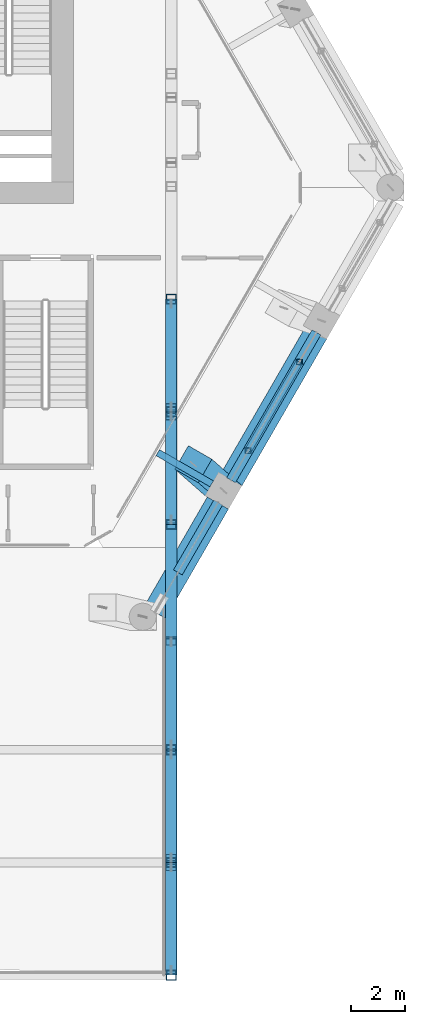
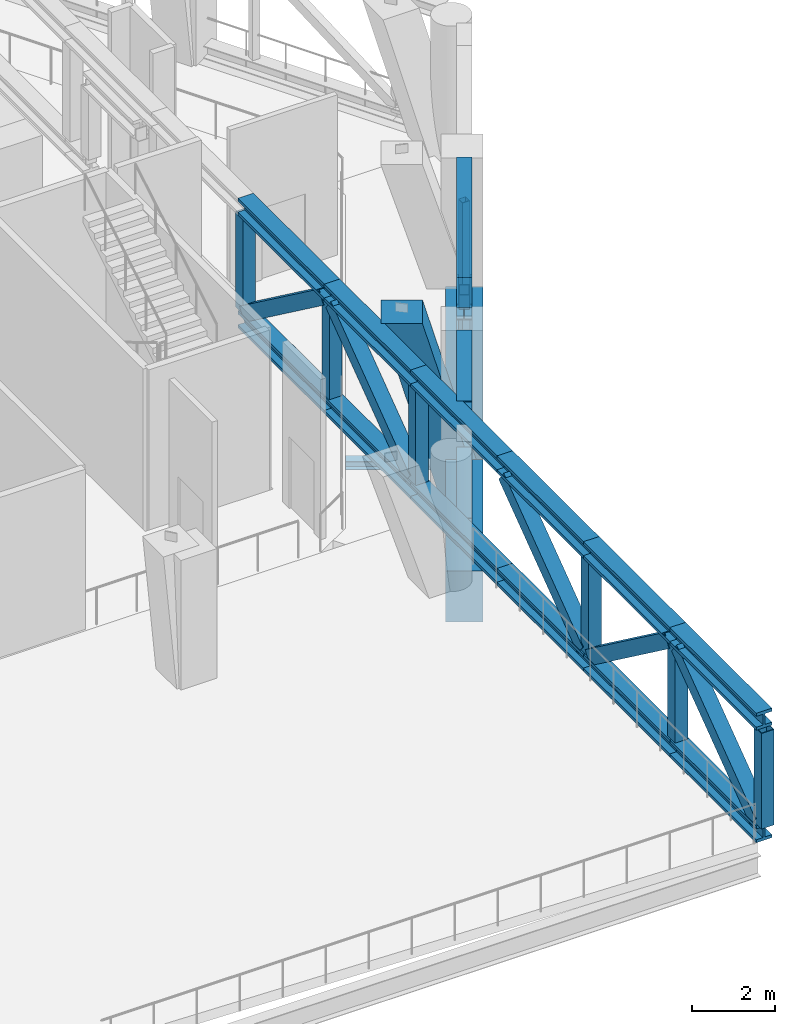
# One storey, part 4 of 22: 33 members, 3 beams.
"""IFC4 building model written with IfcOpenShell, lengths in metres."""

from ifc_helpers import new_model, si_unit, direction, frame, origin, origin_2d, place, context, subcontext, project, spatial, rectangle, hollow_rectangle, i_section, extrude, material, material_profile, profile_set, type_object, element, save


model = new_model("IFC4")

# Units and contexts
model_context = context("Model", 3, precision=1e-05, world=origin(), true_north=direction((0.0, 1.0)))
body_context = subcontext(model_context, "Body", "Model", "MODEL_VIEW")
ifc_project = project(units=[si_unit("LENGTHUNIT", "METRE"), si_unit("AREAUNIT", "SQUARE_METRE"), si_unit("VOLUMEUNIT", "CUBIC_METRE"), si_unit("PLANEANGLEUNIT", "RADIAN"), si_unit("MASSUNIT", "GRAM", prefix="KILO")], contexts=[model_context])

# Site, building, storey
site_placement = place(None, origin())
site = spatial("IfcSite", under=ifc_project, at=site_placement, CompositionType="ELEMENT")
building_placement = place(site_placement, origin())
building = spatial("IfcBuilding", under=site, at=building_placement, Name="Ostrander Bayou Hotel Tower", CompositionType="ELEMENT")
storey_placement = place(building_placement, frame((0.0, 0.0, 209.5)))
storey = spatial("IfcBuildingStorey", under=building, at=storey_placement, Name="L52", CompositionType="ELEMENT", Elevation=209.5)

# Members
ifc_material_1 = material(Name="Steel ASTM A992", Category="steel")
ifc_material_profile_1 = material_profile(ifc_material_1, i_section(OverallWidth=0.37255859375, OverallDepth=0.36767578125, WebThickness=0.014892578125, FlangeThickness=0.02392578125, at=origin_2d()))
ifc_profile_set_1 = profile_set([ifc_material_profile_1], Name="Steel ASTM A992")
member_type_1 = type_object("IfcMemberType", Name="BT5 belt truss chord W14x120", PredefinedType="CHORD", material=ifc_profile_set_1)
for number, where, z_axis, x_axis, name in (
    (1, (12.35595703125, -15.298583984375, 0.183837890625), (0.500003486784, 0.866023390679, 0.0), (-0.866023390679, 0.500003486784, 0.0), "BT5 L52 SE-1B2"),
    (2, (12.35595703125, -15.298583984375, 3.6162109375), (0.500003486784, 0.866023390679, 0.0), (-0.866023390679, 0.500003486784, 0.0), "BT5 L52 SE-1T2"),
):
    element("IfcMember", number, at=place(storey_placement, frame(where, z_axis=z_axis, x_axis=x_axis)), inside=storey, type_object=member_type_1, Name=name, PredefinedType="CHORD", context=body_context, shape_type="SweptSolid", body=[
        extrude(i_section(OverallWidth=0.37255859375, OverallDepth=0.36767578125, WebThickness=0.014892578125, FlangeThickness=0.02392578125, at=origin_2d()), origin(), (0.0, 0.0, 1.0), 2.98291015625),
    ])
member_1_placement = place(storey_placement, frame((14.3173828125, -11.9013671875, 0.183837890625), z_axis=(0.500017548753, 0.86601527177, 0.0), x_axis=(-0.86601527177, 0.500017548753, 0.0)))
element("IfcMember", 3, at=member_1_placement, inside=storey, type_object=member_type_1, Name="BT5 L52 SE-2B1", PredefinedType="CHORD", context=body_context, shape_type="SweptSolid", body=[
    extrude(i_section(OverallWidth=0.37255859375, OverallDepth=0.36767578125, WebThickness=0.014892578125, FlangeThickness=0.02392578125, at=origin_2d()), origin(), (0.0, 0.0, 1.0), 5.036865234375),
])
for number, where, z_axis, x_axis, name in (
    (4, (16.8359375, -7.539306640625, 0.183837890625), (0.499996560828, 0.866027389382, 0.0), (-0.866027389382, 0.499996560828, 0.0), "BT5 L52 SE-2B2"),
    (5, (14.3173828125, -11.9013671875, 3.6162109375), (0.499996560828, 0.866027389382, 0.0), (-0.866027389382, 0.499996560828, 0.0), "BT5 L52 SE-2T1"),
):
    element("IfcMember", number, at=place(storey_placement, frame(where, z_axis=z_axis, x_axis=x_axis)), inside=storey, type_object=member_type_1, Name=name, PredefinedType="CHORD", context=body_context, shape_type="SweptSolid", body=[
        extrude(i_section(OverallWidth=0.37255859375, OverallDepth=0.36767578125, WebThickness=0.014892578125, FlangeThickness=0.02392578125, at=origin_2d()), origin(), (0.0, 0.0, 1.0), 1.25927734375),
    ])
member_2_placement = place(storey_placement, frame((14.947021484375, -10.810791015625, 3.6162109375), z_axis=(0.500017548753, 0.86601527177, 0.0), x_axis=(-0.86601527177, 0.500017548753, 0.0)))
element("IfcMember", 6, at=member_2_placement, inside=storey, type_object=member_type_1, Name="BT5 L52 SE-2T2", PredefinedType="CHORD", context=body_context, shape_type="SweptSolid", body=[
    extrude(i_section(OverallWidth=0.37255859375, OverallDepth=0.36767578125, WebThickness=0.014892578125, FlangeThickness=0.02392578125, at=origin_2d()), origin(), (0.0, 0.0, 1.0), 5.036865234375),
])
ifc_material_2 = material(Name="Steel ASTM A500 Gr C", Category="steel")
ifc_material_profile_2 = material_profile(ifc_material_2, hollow_rectangle(XDim=0.25390625, YDim=0.25390625, WallThickness=0.01171875, at=origin_2d()))
ifc_profile_set_2 = profile_set([ifc_material_profile_2], Name="Steel ASTM A500 Gr C")
member_type_2 = type_object("IfcMemberType", Name="BT6 belt truss diagonal HSS10x10x1/2", PredefinedType="BRACE", material=ifc_profile_set_2)
member_3_placement = place(storey_placement, frame((16.8359375, -7.539306640625, 0.367919921875), z_axis=(-0.388333955618, -0.672570118299, 0.629957280207), x_axis=(0.866011232227, -0.500024545055, 0.0)))
element("IfcMember", 7, at=member_3_placement, inside=storey, type_object=member_type_2, Name="BT6 L52 SE-2D", PredefinedType="BRACE", context=body_context, shape_type="SweptSolid", body=[
    extrude(hollow_rectangle(XDim=0.25390625, YDim=0.25390625, WallThickness=0.01171875, at=origin_2d()), origin(), (0.0, 0.0, 1.0), 4.8642578125),
])
ifc_material_3 = material(Name="Steel ASTM A500 Gr C", Category="steel")
ifc_material_profile_3 = material_profile(ifc_material_3, hollow_rectangle(XDim=0.203125, YDim=0.203125, WallThickness=0.0087890625, at=origin_2d()))
ifc_profile_set_3 = profile_set([ifc_material_profile_3], Name="Steel ASTM A500 Gr C")
member_type_3 = type_object("IfcMemberType", Name="BT9 belt truss vertical HSS8x8x3/8", PredefinedType="POST", material=ifc_profile_set_3)
for number, where, z_axis, x_axis, name in (
    (8, (14.947021484375, -10.810791015625, 0.367919921875), (0.0, 0.0, 1.0), (1.0, 0.0, 0.0), "BT9 L52 SE-2V1"),
    (9, (16.8359375, -7.539306640625, 0.367919921875), (0.0, 0.0, 1.0), (1.0, 0.0, 0.0), "BT9 L52 SE-2V2"),
):
    element("IfcMember", number, at=place(storey_placement, frame(where, z_axis=z_axis, x_axis=x_axis)), inside=storey, type_object=member_type_3, Name=name, PredefinedType="POST", context=body_context, shape_type="SweptSolid", body=[
        extrude(hollow_rectangle(XDim=0.203125, YDim=0.203125, WallThickness=0.0087890625, at=origin_2d()), origin(), (0.0, 0.0, 1.0), 3.064208984375),
    ])
ifc_material_4 = material(Name="Concrete f'c 60 MPa", Category="concrete")
ifc_material_profile_4 = material_profile(ifc_material_4, rectangle(XDim=1.0, YDim=1.0, at=origin_2d()))
ifc_profile_set_4 = profile_set([ifc_material_profile_4], Name="Concrete f'c 60 MPa")
member_type_4 = type_object("IfcMemberType", Name="KC3 kinked column 1000 x 1000 mm f'c 60 MPa", PredefinedType="STRUT", material=ifc_profile_set_4)
member_4_placement = place(storey_placement, frame((14.039306640625, -12.283203125, -1.199951171875), z_axis=(0.0, 0.0, 1.0), x_axis=(-0.5, -0.866025403784, 0.0)))
element("IfcMember", 10, at=member_4_placement, inside=storey, type_object=member_type_4, Name="KC3 L52 SE1", PredefinedType="STRUT", context=body_context, shape_type="SweptSolid", body=[
    extrude(rectangle(XDim=1.0, YDim=1.0, at=origin_2d()), origin(), (-0.055324329436, -0.278111419924, 0.95895425161), 5.214111328125),
])

# Beams
ifc_material_5 = material(Name="Steel ASTM A992", Category="steel")
ifc_material_profile_5 = material_profile(ifc_material_5, i_section(OverallWidth=0.25390625, OverallDepth=0.25341796875, WebThickness=0.008544921875, FlangeThickness=0.01416015625, at=origin_2d()))
ifc_profile_set_5 = profile_set([ifc_material_profile_5], Name="Steel ASTM A992")
beam_type_1 = type_object("IfcBeamType", Name="LB2 loggia bracket W10x49", PredefinedType="BEAM", material=ifc_profile_set_5)
beam_1_placement = place(storey_placement, frame((13.606201171875, -12.033203125, -0.4267578125), z_axis=(-0.86602648383, 0.499998129301, 0.0), x_axis=(-0.499998129301, -0.86602648383, 0.0)))
element("IfcBeam", 11, at=beam_1_placement, inside=storey, type_object=beam_type_1, Name="LB2 L52 SE1", PredefinedType="BEAM", context=body_context, shape_type="SweptSolid", body=[
    extrude(i_section(OverallWidth=0.25390625, OverallDepth=0.25341796875, WebThickness=0.008544921875, FlangeThickness=0.01416015625, at=origin_2d()), origin(), (0.0, 0.0, 1.0), 2.2998046875),
])
ifc_material_6 = material(Name="Concrete f'c 60 MPa", Category="concrete")
ifc_material_profile_6 = material_profile(ifc_material_6, rectangle(XDim=0.89990234375, YDim=1.5, at=origin_2d()))
ifc_profile_set_6 = profile_set([ifc_material_profile_6], Name="Concrete f'c 60 MPa")
beam_type_2 = type_object("IfcBeamType", Name="SPB3 belt spandrel beam 900 x 1500 mm f'c 60 MPa", PredefinedType="SPANDREL", material=ifc_profile_set_6)
beam_2_placement = place(storey_placement, frame((11.508056640625, -16.767578125, -0.75), z_axis=(0.499966354109, 0.866044828377, 0.0), x_axis=(-0.866044828377, 0.499966354109, 0.0)))
element("IfcBeam", 12, at=beam_2_placement, inside=storey, type_object=beam_type_2, Name="SP3 L52 SE-1", PredefinedType="SPANDREL", context=body_context, shape_type="SweptSolid", body=[
    extrude(rectangle(XDim=0.89990234375, YDim=1.5, at=origin_2d()), origin(), (0.0, 0.0, 1.0), 4.678955078125),
])
beam_3_placement = place(storey_placement, frame((14.3173828125, -11.9013671875, -0.75), z_axis=(0.500013351051, 0.866017695414, 0.0), x_axis=(-0.866017695414, 0.500013351051, 0.0)))
element("IfcBeam", 13, at=beam_3_placement, inside=storey, type_object=beam_type_2, Name="SP3 L52 SE-2", PredefinedType="SPANDREL", context=body_context, shape_type="SweptSolid", body=[
    extrude(rectangle(XDim=0.89990234375, YDim=1.5, at=origin_2d()), origin(), (0.0, 0.0, 1.0), 6.296142578125),
])

# Members
ifc_material_7 = material(Name="Steel ASTM A992", Category="steel")
ifc_material_profile_7 = material_profile(ifc_material_7, i_section(OverallWidth=0.43212890625, OverallDepth=0.497802734375, WebThickness=0.0556640625, FlangeThickness=0.0888671875, at=origin_2d()))
ifc_profile_set_7 = profile_set([ifc_material_profile_7], Name="Steel ASTM A992")
member_type_5 = type_object("IfcMemberType", Name="TT1 through-truss chord W14x500", PredefinedType="CHORD", material=ifc_profile_set_7)
for number, where, z_axis, x_axis, name in (
    (14, (12.110107421875, -5.2216796875, 0.248779296875), (0.0, -1.0, 0.0), (1.0, 0.0, 0.0), "TT1 SB4B B9"),
    (15, (12.110107421875, -5.2216796875, 3.551025390625), (0.0, -1.0, 0.0), (1.0, 0.0, 0.0), "TT1 SB4B T9"),
):
    element("IfcMember", number, at=place(storey_placement, frame(where, z_axis=z_axis, x_axis=x_axis)), inside=storey, type_object=member_type_5, Name=name, PredefinedType="CHORD", context=body_context, shape_type="SweptSolid", body=[
        extrude(i_section(OverallWidth=0.43212890625, OverallDepth=0.497802734375, WebThickness=0.0556640625, FlangeThickness=0.0888671875, at=origin_2d()), origin(), (0.0, 0.0, 1.0), 4.15478515625),
    ])
for number, where, z_axis, x_axis, name in (
    (16, (12.110107421875, -9.37646484375, 0.248779296875), (0.0, -1.0, 0.0), (1.0, 0.0, 0.0), "TT1 SB4B B10"),
    (17, (12.110107421875, -9.37646484375, 3.551025390625), (0.0, -1.0, 0.0), (1.0, 0.0, 0.0), "TT1 SB4B T10"),
):
    element("IfcMember", number, at=place(storey_placement, frame(where, z_axis=z_axis, x_axis=x_axis)), inside=storey, type_object=member_type_5, Name=name, PredefinedType="CHORD", context=body_context, shape_type="SweptSolid", body=[
        extrude(i_section(OverallWidth=0.43212890625, OverallDepth=0.497802734375, WebThickness=0.0556640625, FlangeThickness=0.0888671875, at=origin_2d()), origin(), (0.0, 0.0, 1.0), 4.154541015625),
    ])
for number, where, z_axis, x_axis, name in (
    (18, (12.110107421875, -13.531005859375, 0.248779296875), (0.0, -1.0, 0.0), (1.0, 0.0, 0.0), "TT1 SB4B B11"),
    (19, (12.110107421875, -13.531005859375, 3.551025390625), (0.0, -1.0, 0.0), (1.0, 0.0, 0.0), "TT1 SB4B T11"),
    (20, (12.110107421875, -17.685791015625, 0.248779296875), (0.0, -1.0, 0.0), (1.0, 0.0, 0.0), "TT1 SB4B B12"),
    (21, (12.110107421875, -17.685791015625, 3.551025390625), (0.0, -1.0, 0.0), (1.0, 0.0, 0.0), "TT1 SB4B T12"),
    (22, (12.110107421875, -21.840576171875, 0.248779296875), (0.0, -1.0, 0.0), (1.0, 0.0, 0.0), "TT1 SB4B B13"),
    (23, (12.110107421875, -21.840576171875, 3.551025390625), (0.0, -1.0, 0.0), (1.0, 0.0, 0.0), "TT1 SB4B T13"),
):
    element("IfcMember", number, at=place(storey_placement, frame(where, z_axis=z_axis, x_axis=x_axis)), inside=storey, type_object=member_type_5, Name=name, PredefinedType="CHORD", context=body_context, shape_type="SweptSolid", body=[
        extrude(i_section(OverallWidth=0.43212890625, OverallDepth=0.497802734375, WebThickness=0.0556640625, FlangeThickness=0.0888671875, at=origin_2d()), origin(), (0.0, 0.0, 1.0), 4.15478515625),
    ])
for number, where, z_axis, x_axis, name in (
    (24, (12.110107421875, -25.995361328125, 0.248779296875), (0.0, -1.0, 0.0), (1.0, 0.0, 0.0), "TT1 SB4B B14"),
    (25, (12.110107421875, -25.995361328125, 3.551025390625), (0.0, -1.0, 0.0), (1.0, 0.0, 0.0), "TT1 SB4B T14"),
):
    element("IfcMember", number, at=place(storey_placement, frame(where, z_axis=z_axis, x_axis=x_axis)), inside=storey, type_object=member_type_5, Name=name, PredefinedType="CHORD", context=body_context, shape_type="SweptSolid", body=[
        extrude(i_section(OverallWidth=0.43212890625, OverallDepth=0.497802734375, WebThickness=0.0556640625, FlangeThickness=0.0888671875, at=origin_2d()), origin(), (0.0, 0.0, 1.0), 4.154541015625),
    ])
ifc_material_8 = material(Name="Steel ASTM A500 Gr C", Category="steel")
ifc_material_profile_8 = material_profile(ifc_material_8, hollow_rectangle(XDim=0.355712890625, YDim=0.355712890625, WallThickness=0.0146484375, at=origin_2d()))
ifc_profile_set_8 = profile_set([ifc_material_profile_8], Name="Steel ASTM A500 Gr C")
member_type_6 = type_object("IfcMemberType", Name="TT2 through-truss post HSS14x14x5/8", PredefinedType="POST", material=ifc_profile_set_8)
for number, where, z_axis, x_axis, name in (
    (26, (12.110107421875, -5.2216796875, 0.497802734375), (0.0, 0.0, 1.0), (1.0, 0.0, 0.0), "TT2 SB4B P9"),
    (27, (12.110107421875, -9.37646484375, 0.497802734375), (0.0, 0.0, 1.0), (1.0, 0.0, 0.0), "TT2 SB4B P10"),
    (28, (12.110107421875, -13.531005859375, 0.497802734375), (0.0, 0.0, 1.0), (1.0, 0.0, 0.0), "TT2 SB4B P11"),
    (29, (12.110107421875, -21.840576171875, 0.497802734375), (0.0, 0.0, 1.0), (1.0, 0.0, 0.0), "TT2 SB4B P13"),
    (30, (12.110107421875, -25.995361328125, 0.497802734375), (0.0, 0.0, 1.0), (1.0, 0.0, 0.0), "TT2 SB4B P14"),
    (31, (12.110107421875, -30.14990234375, 0.497802734375), (0.0, 0.0, 1.0), (1.0, 0.0, 0.0), "TT2 SB4B P15"),
):
    element("IfcMember", number, at=place(storey_placement, frame(where, z_axis=z_axis, x_axis=x_axis)), inside=storey, type_object=member_type_6, Name=name, PredefinedType="POST", context=body_context, shape_type="SweptSolid", body=[
        extrude(hollow_rectangle(XDim=0.355712890625, YDim=0.355712890625, WallThickness=0.0146484375, at=origin_2d()), origin(), (0.0, 0.0, 1.0), 2.804443359375),
    ])
ifc_material_9 = material(Name="Steel ASTM A572 Gr 50", Category="steel")
ifc_material_profile_9 = material_profile(ifc_material_9, hollow_rectangle(XDim=0.406494140625, YDim=0.406494140625, WallThickness=0.017822265625, at=origin_2d()))
ifc_profile_set_9 = profile_set([ifc_material_profile_9], Name="Steel ASTM A572 Gr 50")
member_type_7 = type_object("IfcMemberType", Name="TT3 through-truss diagonal box 16 x 16 x 3/4", PredefinedType="BRACE", material=ifc_profile_set_9)
for number, where, z_axis, x_axis, name in (
    (32, (12.110107421875, -5.3994140625, 0.497802734375), (0.0, -0.804537023237, 0.593902498935), (1.0, 0.0, 0.0), "TT3 SB4B D9"),
    (33, (12.110107421875, -13.353271484375, 0.497802734375), (0.0, 0.804537023237, 0.593902498935), (-1.0, 0.0, 0.0), "TT3 SB4B D10"),
    (34, (12.110107421875, -21.662841796875, 0.497802734375), (0.0, 0.804555258488, 0.593877795544), (-1.0, 0.0, 0.0), "TT3 SB4B D12"),
    (35, (12.110107421875, -22.018310546875, 0.497802734375), (0.0, -0.804537023237, 0.593902498935), (1.0, 0.0, 0.0), "TT3 SB4B D13"),
    (36, (12.110107421875, -29.97216796875, 0.497802734375), (0.0, 0.804537023237, 0.593902498935), (-1.0, 0.0, 0.0), "TT3 SB4B D14"),
):
    element("IfcMember", number, at=place(storey_placement, frame(where, z_axis=z_axis, x_axis=x_axis)), inside=storey, type_object=member_type_7, Name=name, PredefinedType="BRACE", context=body_context, shape_type="SweptSolid", body=[
        extrude(hollow_rectangle(XDim=0.406494140625, YDim=0.406494140625, WallThickness=0.017822265625, at=origin_2d()), origin(), (0.0, 0.0, 1.0), 4.72216796875),
    ])

save(model, "model.ifc")
